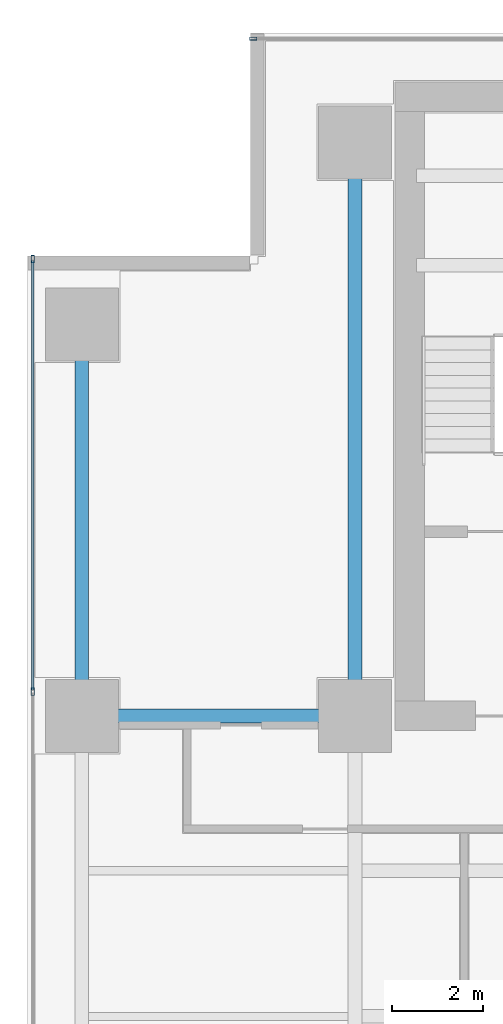
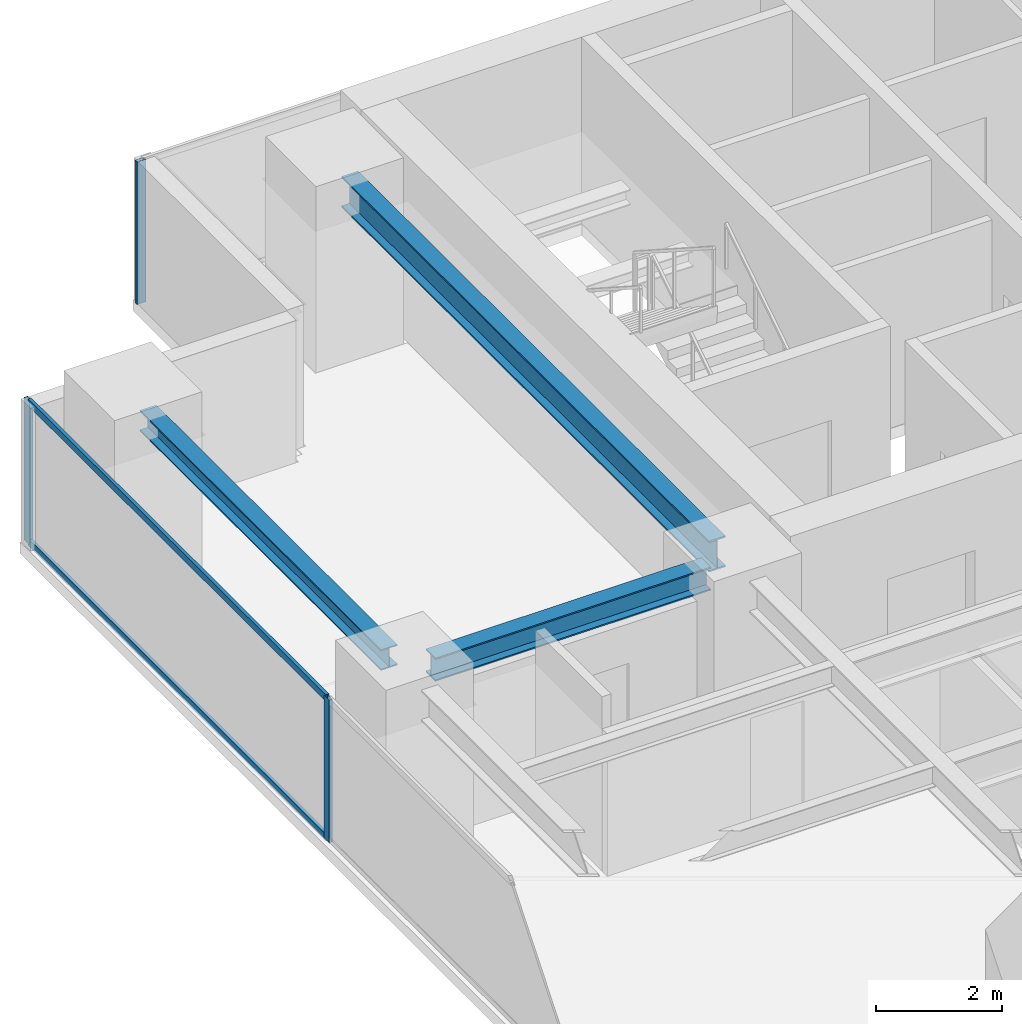
# One storey, part 14 of 27: 5 members, 3 beams, 2 elements without a shape of their own.
"""IFC4 building model written with IfcOpenShell, lengths in metres."""

import ifcopenshell
import ifcopenshell.guid

model = None  # the IFC model being written
_history = None  # IfcOwnerHistory: only IFC2X3 demands one
_inside = {}  # id of a spatial element -> (the spatial element, [elements in it])
_under = {}  # id of a project, library or spatial element -> (it, [spatial elements below it])
_declared = {}  # id of a project -> (the project, [libraries it declares])
_typed = {}  # id of a type object -> (the type object, [elements of that type])
_made_of = {}  # id of a material, layer set ... -> (it, [elements and type objects made of it])


def new_model(schema):
    """Start an empty IFC model of exactly this schema.

    Asked for "IFC4X3", IfcOpenShell would pick the latest addendum, in which some entities
    have other attributes; the version numbers below select the first issue.
    IFC2X3 requires an IfcOwnerHistory on every rooted entity: one is made here for all.
    """
    global model, _history
    if schema == "IFC4X3":
        model = ifcopenshell.file(schema_version=(4, 3, 0, 0))
    else:
        model = ifcopenshell.file(schema=schema)
    _inside.clear()
    _under.clear()
    _declared.clear()
    _typed.clear()
    _made_of.clear()
    _history = None
    if model.schema == "IFC2X3":
        org = make("IfcOrganization", Name="unknown")
        user = make(
            "IfcPersonAndOrganization",
            ThePerson=make("IfcPerson", FamilyName="unknown"),
            TheOrganization=org,
        )
        app = make(
            "IfcApplication",
            ApplicationDeveloper=org,
            Version="unknown",
            ApplicationFullName="unknown",
            ApplicationIdentifier="unknown",
        )
        _history = make(
            "IfcOwnerHistory",
            OwningUser=user,
            OwningApplication=app,
            ChangeAction="ADDED",
            CreationDate=0,
        )
    return model


def make(cls, **values):
    """One entity of the class cls with the attributes given. An attribute that is None is left unset."""
    return model.create_entity(
        cls, **{name: value for name, value in values.items() if value is not None}
    )


def rooted(cls, **values):
    """An entity with a GlobalId (a new one), such as an element, a storey or a relation."""
    return make(cls, GlobalId=ifcopenshell.guid.new(), OwnerHistory=_history, **values)


def si_unit(unit_type, name, prefix=None):
    """IfcSIUnit, for example si_unit("LENGTHUNIT", "METRE", prefix="MILLI")."""
    return make("IfcSIUnit", UnitType=unit_type, Prefix=prefix, Name=name)


def assignment(units):
    """IfcUnitAssignment: the units of a project."""
    return None if units is None else make("IfcUnitAssignment", Units=units)


def point(xyz):
    """IfcCartesianPoint."""
    return None if xyz is None else make("IfcCartesianPoint", Coordinates=xyz)


def direction(xyz):
    """IfcDirection."""
    return None if xyz is None else make("IfcDirection", DirectionRatios=xyz)


def frame(location, z_axis=None, x_axis=None):
    """IfcAxis2Placement3D, a coordinate frame: its origin and axes. An axis left out is left unset."""
    return make(
        "IfcAxis2Placement3D",
        Location=point(location),
        Axis=direction(z_axis),
        RefDirection=direction(x_axis),
    )


def frame_2d(location, x_axis=None):
    """IfcAxis2Placement2D, a coordinate frame in the plane: its origin and x axis."""
    return make(
        "IfcAxis2Placement2D", Location=point(location), RefDirection=direction(x_axis)
    )


def origin():
    """The frame at (0, 0, 0) with its axes left unset."""
    return frame((0.0, 0.0, 0.0))


def origin_2d():
    """The frame at (0, 0) in the plane with its x axis left unset."""
    return frame_2d((0.0, 0.0))


def place(relative_to, where):
    """IfcLocalPlacement: puts the frame where relative to a parent placement (None: the world)."""
    return make(
        "IfcLocalPlacement", PlacementRelTo=relative_to, RelativePlacement=where
    )


def context(
    kind, dimensions, precision=None, world=None, true_north=None, identifier=None
):
    """IfcGeometricRepresentationContext, for example the 3D "Model" context."""
    return make(
        "IfcGeometricRepresentationContext",
        ContextIdentifier=identifier,
        ContextType=kind,
        CoordinateSpaceDimension=dimensions,
        Precision=precision,
        WorldCoordinateSystem=world,
        TrueNorth=true_north,
    )


def subcontext(parent, identifier, kind, view, scale=None):
    """IfcGeometricRepresentationSubContext, for example "Body" below "Model"."""
    return make(
        "IfcGeometricRepresentationSubContext",
        ContextIdentifier=identifier,
        ContextType=kind,
        ParentContext=parent,
        TargetScale=scale,
        TargetView=view,
    )


def project(units=None, contexts=None):
    """IfcProject with its units and contexts."""
    return rooted(
        "IfcProject",
        Name="project",
        RepresentationContexts=contexts,
        UnitsInContext=assignment(units),
    )


def spatial(cls, under=None, at=None, **own):
    """A site, building, storey or space (cls), placed at a placement, below another one or the project."""
    s = rooted(cls, ObjectPlacement=at, **own)
    if under is not None:
        _under.setdefault(under.id(), (under, []))[1].append(s)
    return s


def profile(cls, at=None, kind="AREA", **sizes):
    """A parametric profile (cls). Its sizes go by their IFC names, for example OverallWidth=200.0."""
    return make(cls, ProfileType=kind, Position=at, **sizes)


def hollow_rectangle(**sizes):
    """IfcRectangleHollowProfileDef."""
    return profile("IfcRectangleHollowProfileDef", **sizes)


def i_section(**sizes):
    """IfcIShapeProfileDef."""
    return profile("IfcIShapeProfileDef", **sizes)


def extrude(swept, where, along, depth):
    """IfcExtrudedAreaSolid: the profile swept, set in the frame where, extruded along a direction by depth."""
    return make(
        "IfcExtrudedAreaSolid",
        SweptArea=swept,
        Position=where,
        ExtrudedDirection=direction(along),
        Depth=depth,
    )


def shape(context_of_items, identifier, shape_type, items):
    """IfcShapeRepresentation: the items that make up one representation, for example the "Body"."""
    return make(
        "IfcShapeRepresentation",
        ContextOfItems=context_of_items,
        RepresentationIdentifier=identifier,
        RepresentationType=shape_type,
        Items=items,
    )


def source(mapping_origin, context_of_items, identifier, shape_type, items):
    """IfcRepresentationMap: a shape defined once, which mapped items show again and again."""
    return make(
        "IfcRepresentationMap",
        MappingOrigin=mapping_origin,
        MappedRepresentation=shape(context_of_items, identifier, shape_type, items),
    )


def transform(
    local_origin,
    x_axis=None,
    y_axis=None,
    z_axis=None,
    scale=None,
    scale2=None,
    scale3=None,
    uniform=True,
):
    """IfcCartesianTransformationOperator3D, or its non-uniform kind. x_axis, y_axis, z_axis: its Axis1, 2, 3."""
    if uniform:
        return make(
            "IfcCartesianTransformationOperator3D",
            Axis1=direction(x_axis),
            Axis2=direction(y_axis),
            LocalOrigin=point(local_origin),
            Scale=scale,
            Axis3=direction(z_axis),
        )
    return make(
        "IfcCartesianTransformationOperator3DnonUniform",
        Axis1=direction(x_axis),
        Axis2=direction(y_axis),
        LocalOrigin=point(local_origin),
        Scale=scale,
        Axis3=direction(z_axis),
        Scale2=scale2,
        Scale3=scale3,
    )


def mapped(mapping_source, mapping_target):
    """IfcMappedItem: shows the shape of a source again, moved by a transform."""
    return make(
        "IfcMappedItem", MappingSource=mapping_source, MappingTarget=mapping_target
    )


def material(Name=None, Category=None):
    """IfcMaterial."""
    return make("IfcMaterial", Name=Name, Category=Category)


def layer(
    of_material, thickness, ventilated=None, Name=None, Category=None, Priority=None
):
    """IfcMaterialLayer: one layer of a wall or slab, of a material (None: an air gap)."""
    return make(
        "IfcMaterialLayer",
        Material=of_material,
        LayerThickness=thickness,
        IsVentilated=ventilated,
        Name=Name,
        Category=Category,
        Priority=Priority,
    )


def layer_set(layers, Name=None):
    """IfcMaterialLayerSet."""
    return make("IfcMaterialLayerSet", MaterialLayers=layers, LayerSetName=Name)


def material_profile(
    of_material, cross_section, Name=None, Category=None, Priority=None
):
    """IfcMaterialProfile: a cross section and its material."""
    return make(
        "IfcMaterialProfile",
        Name=Name,
        Material=of_material,
        Profile=cross_section,
        Priority=Priority,
        Category=Category,
    )


def profile_set(profiles, Name=None, composite=None):
    """IfcMaterialProfileSet."""
    return make(
        "IfcMaterialProfileSet",
        Name=Name,
        MaterialProfiles=profiles,
        CompositeProfile=composite,
    )


def made_of(thing, what):
    """Note that an element or type object is made of a material, layer set ...; save() writes the relation."""
    if what is not None:
        _made_of.setdefault(what.id(), (what, []))[1].append(thing)
    return thing


def type_object(cls, material=None, **own):
    """A type object (cls), such as IfcWallType, which elements share."""
    return made_of(rooted(cls, **own), material)


def element(
    cls,
    number,
    at=None,
    inside=None,
    cuts=None,
    type_object=None,
    material=None,
    context=None,
    identifier="Body",
    shape_type=None,
    held_by="IfcProductDefinitionShape",
    body=None,
    shapes=None,
    **own,
):
    """One element of the class cls, such as IfcWall. Its Tag is "e" and its number.

    at: its placement. inside: the storey or other place that contains it. cuts: it is an
    opening in that element (IfcRelVoidsElement). A single representation is given by context,
    identifier, shape_type and body (its items); several are given by shapes. held_by: the class
    of the entity that holds the representations. save() writes the other relations.
    """
    e = rooted(cls, Tag="e%d" % number, ObjectPlacement=at, **own)
    if body is not None:
        shapes = [shape(context, identifier, shape_type, body)]
    if shapes is not None:
        e.Representation = make(held_by, Representations=shapes)
    if inside is not None:
        _inside.setdefault(inside.id(), (inside, []))[1].append(e)
    if cuts is not None:
        rooted(
            "IfcRelVoidsElement", RelatingBuildingElement=cuts, RelatedOpeningElement=e
        )
    if type_object is not None:
        _typed.setdefault(type_object.id(), (type_object, []))[1].append(e)
    return made_of(e, material)


def aggregate(whole, parts):
    """IfcRelAggregates: a whole, such as a stair, and the parts it consists of."""
    return rooted("IfcRelAggregates", RelatingObject=whole, RelatedObjects=parts)


def save(model, path):
    """Write the relations noted so far, then the file.

    IfcRelAggregates (storeys below a building ...), IfcRelContainedInSpatialStructure (elements
    in a storey), IfcRelDefinesByType, IfcRelAssociatesMaterial and IfcRelDeclares: one each for
    every whole, place, type object, material and project.
    """
    for whole, parts in _under.values():
        aggregate(whole, parts)
    for where, things in _inside.values():
        rooted(
            "IfcRelContainedInSpatialStructure",
            RelatedElements=things,
            RelatingStructure=where,
        )
    for kind, things in _typed.values():
        rooted("IfcRelDefinesByType", RelatedObjects=things, RelatingType=kind)
    for what, things in _made_of.values():
        rooted("IfcRelAssociatesMaterial", RelatedObjects=things, RelatingMaterial=what)
    for by, libraries in _declared.values():
        rooted("IfcRelDeclares", RelatingContext=by, RelatedDefinitions=libraries)
    model.write(path)


model = new_model("IFC4")

# Units and contexts
model_context = context("Model", 3, precision=1e-05, world=origin(), true_north=direction((0.0, 1.0)))
body_context = subcontext(model_context, "Body", "Model", "MODEL_VIEW")
ifc_project = project(units=[si_unit("LENGTHUNIT", "METRE"), si_unit("AREAUNIT", "SQUARE_METRE"), si_unit("VOLUMEUNIT", "CUBIC_METRE"), si_unit("PLANEANGLEUNIT", "RADIAN"), si_unit("MASSUNIT", "GRAM", prefix="KILO")], contexts=[model_context])

# Site, building, storey
site_placement = place(None, origin())
site = spatial("IfcSite", under=ifc_project, at=site_placement, CompositionType="ELEMENT")
building_placement = place(site_placement, origin())
building = spatial("IfcBuilding", under=site, at=building_placement, Name="Sumidabori Civic Tower", CompositionType="ELEMENT")
storey_placement = place(building_placement, frame((0.0, 0.0, 164.0)))
storey = spatial("IfcBuildingStorey", under=building, at=storey_placement, Name="L42", CompositionType="ELEMENT", Elevation=164.0)

# Beams
ifc_material_1 = material(Name="Steel SN490", Category="steel")
ifc_material_profile_1 = material_profile(ifc_material_1, i_section(OverallWidth=0.300048828125, OverallDepth=0.39990234375, WebThickness=0.013427734375, FlangeThickness=0.02392578125, at=origin_2d()), Name="HE 400 B")
ifc_profile_set_1 = profile_set([ifc_material_profile_1], Name="Steel SN490")
beam_type_1 = type_object("IfcBeamType", Name="BM-GIRD-400", PredefinedType="BEAM", material=ifc_profile_set_1)
shared_shape_1 = source(origin(), body_context, "Body", "SweptSolid", [
    extrude(i_section(OverallWidth=0.300048828125, OverallDepth=0.39990234375, WebThickness=0.013427734375, FlangeThickness=0.02392578125, at=origin_2d()), origin(), (0.0, 0.0, 1.0), 7.64013671875),
])
beam_1_placement = place(storey_placement, frame((-22.800048828125, 10.679931640625, 3.179931640625), z_axis=(0.0, 1.0, 0.0), x_axis=(-1.0, 0.0, 0.0)))
element("IfcBeam", 1, at=beam_1_placement, inside=storey, type_object=beam_type_1, Name="Primary Girder L42 GY-21", PredefinedType="BEAM", context=body_context, shape_type="MappedRepresentation", body=[
    mapped(shared_shape_1, transform((0.0, 0.0, 0.0), x_axis=(1.0, 0.0, 0.0), y_axis=(0.0, 1.0, 0.0), z_axis=(0.0, 0.0, 1.0), scale=1.0)),
])
ifc_material_profile_2 = material_profile(ifc_material_1, i_section(OverallWidth=0.300048828125, OverallDepth=0.60009765625, WebThickness=0.015380859375, FlangeThickness=0.030029296875, at=origin_2d()), Name="HE 600 B")
ifc_profile_set_2 = profile_set([ifc_material_profile_2], Name="Steel SN490")
beam_type_2 = type_object("IfcBeamType", Name="BM-GIRD-600", PredefinedType="BEAM", material=ifc_profile_set_2)
shared_shape_2 = source(origin(), body_context, "Body", "SweptSolid", [
    extrude(i_section(OverallWidth=0.300048828125, OverallDepth=0.60009765625, WebThickness=0.015380859375, FlangeThickness=0.030029296875, at=origin_2d()), origin(), (0.0, 0.0, 1.0), 11.64013671875),
])
beam_2_placement = place(storey_placement, frame((-16.800048828125, 10.679931640625, 3.080078125), z_axis=(0.0, 1.0, 0.0), x_axis=(-1.0, 0.0, 0.0)))
element("IfcBeam", 2, at=beam_2_placement, inside=storey, type_object=beam_type_2, Name="Primary Girder L42 GY-25", PredefinedType="BEAM", context=body_context, shape_type="MappedRepresentation", body=[
    mapped(shared_shape_2, transform((0.0, 0.0, 0.0), x_axis=(1.0, 0.0, 0.0), y_axis=(0.0, 1.0, 0.0), z_axis=(0.0, 0.0, 1.0), scale=1.0)),
])
ifc_material_profile_3 = material_profile(ifc_material_1, i_section(OverallWidth=0.300048828125, OverallDepth=0.449951171875, WebThickness=0.013916015625, FlangeThickness=0.02587890625, at=origin_2d()), Name="HE 450 B")
ifc_profile_set_3 = profile_set([ifc_material_profile_3], Name="Steel SN490")
beam_type_3 = type_object("IfcBeamType", Name="BM-GIRD-450", PredefinedType="BEAM", material=ifc_profile_set_3)
shared_shape_3 = source(origin(), body_context, "Body", "SweptSolid", [
    extrude(i_section(OverallWidth=0.300048828125, OverallDepth=0.449951171875, WebThickness=0.013916015625, FlangeThickness=0.02587890625, at=origin_2d()), origin(), (0.0, 0.0, 1.0), 5.0400390625),
])
beam_3_placement = place(storey_placement, frame((-22.320068359375, 10.199951171875, 3.155029296875), z_axis=(1.0, 0.0, 0.0), x_axis=(0.0, 1.0, 0.0)))
element("IfcBeam", 3, at=beam_3_placement, inside=storey, type_object=beam_type_3, Name="Primary Girder L42 GX-17", PredefinedType="BEAM", context=body_context, shape_type="MappedRepresentation", body=[
    mapped(shared_shape_3, transform((0.0, 0.0, 0.0), x_axis=(1.0, 0.0, 0.0), y_axis=(0.0, 1.0, 0.0), z_axis=(0.0, 0.0, 1.0), scale=1.0)),
])

# Curtain wall, member
ifc_material_2 = material(Name="Anodised Bronze Aluminium AW-6063-T6", Category="aluminium")
ifc_layer = layer(ifc_material_2, 0.179931640625, Name="Anodised Bronze Aluminium AW-6063-T6")
ifc_layer_set = layer_set([ifc_layer], Name="Anodised Bronze Aluminium AW-6063-T6")
curtain_wall_type = type_object("IfcCurtainWallType", Name="CW-SYS-3", PredefinedType="NOTDEFINED", material=ifc_layer_set)
curtain_wall_1_placement = place(storey_placement, origin())
curtain_wall_1 = element("IfcCurtainWall", 4, at=curtain_wall_1_placement, inside=storey, type_object=curtain_wall_type, Name="Curtain Wall CW:L42:R07", PredefinedType="NOTDEFINED")
ifc_material_profile_4 = material_profile(ifc_material_2, hollow_rectangle(XDim=0.06494140625, YDim=0.159912109375, WallThickness=0.0048828125, at=origin_2d()), Name="ALU MULLION 160x65")
ifc_profile_set_4 = profile_set([ifc_material_profile_4], Name="Anodised Bronze Aluminium AW-6063-T6")
member_type_1 = type_object("IfcMemberType", Name="CW-MUL-160", PredefinedType="MULLION", material=ifc_profile_set_4)
shared_shape_4 = source(origin(), body_context, "Body", "SweptSolid", [
    extrude(hollow_rectangle(XDim=0.06494140625, YDim=0.159912109375, WallThickness=0.0048828125, at=origin_2d()), origin(), (0.0, 0.0, 1.0), 2.760009765625),
])
member_1_placement = place(storey_placement, frame((-19.03759765625, 25.080078125, 0.0), z_axis=(0.0, 0.0, 1.0), x_axis=(0.0, -1.0, 0.0)))
member_1 = element("IfcMember", 5, at=member_1_placement, type_object=member_type_1, Name="CW-3 mullion 5", PredefinedType="MULLION", context=body_context, shape_type="MappedRepresentation", body=[
    mapped(shared_shape_4, transform((0.0, 0.0, 0.0), x_axis=(1.0, 0.0, 0.0), y_axis=(0.0, 1.0, 0.0), z_axis=(0.0, 0.0, 1.0), scale=1.0)),
])
aggregate(curtain_wall_1, [member_1])

# Curtain wall, members
curtain_wall_2_placement = place(storey_placement, origin())
curtain_wall_2 = element("IfcCurtainWall", 6, at=curtain_wall_2_placement, inside=storey, type_object=curtain_wall_type, Name="Curtain Wall CW:L42:R10", PredefinedType="NOTDEFINED")
member_2_placement = place(storey_placement, frame((-23.8798828125, 20.237548828125, 0.0), z_axis=(0.0, 0.0, 1.0), x_axis=(1.0, 0.0, 0.0)))
member_2 = element("IfcMember", 7, at=member_2_placement, type_object=member_type_1, Name="CW-3 mullion 1", PredefinedType="MULLION", context=body_context, shape_type="MappedRepresentation", body=[
    mapped(shared_shape_4, transform((0.0, 0.0, 0.0), x_axis=(1.0, 0.0, 0.0), y_axis=(0.0, 1.0, 0.0), z_axis=(0.0, 0.0, 1.0), scale=1.0)),
])
member_3_placement = place(storey_placement, frame((-23.8798828125, 10.735107421875, 0.0), z_axis=(0.0, 0.0, 1.0), x_axis=(1.0, 0.0, 0.0)))
member_3 = element("IfcMember", 8, at=member_3_placement, type_object=member_type_1, Name="CW-3 mullion 2", PredefinedType="MULLION", context=body_context, shape_type="MappedRepresentation", body=[
    mapped(shared_shape_4, transform((0.0, 0.0, 0.0), x_axis=(1.0, 0.0, 0.0), y_axis=(0.0, 1.0, 0.0), z_axis=(0.0, 0.0, 1.0), scale=1.0)),
])
ifc_material_profile_5 = material_profile(ifc_material_2, hollow_rectangle(XDim=0.06005859375, YDim=0.1298828125, WallThickness=0.0048828125, at=origin_2d()), Name="ALU TRANSOM 130x60")
ifc_profile_set_5 = profile_set([ifc_material_profile_5], Name="Anodised Bronze Aluminium AW-6063-T6")
member_type_2 = type_object("IfcMemberType", Name="CW-TRN-130", PredefinedType="USERDEFINED", material=ifc_profile_set_5)
shared_shape_5 = source(origin(), body_context, "Body", "SweptSolid", [
    extrude(hollow_rectangle(XDim=0.06005859375, YDim=0.1298828125, WallThickness=0.0048828125, at=origin_2d()), origin(), (0.0, 0.0, 1.0), 9.4375),
])
member_4_placement = place(storey_placement, frame((-23.8798828125, 20.205078125, 0.030029296875), z_axis=(0.0, -1.0, 0.0), x_axis=(1.0, 0.0, 0.0)))
member_4 = element("IfcMember", 9, at=member_4_placement, type_object=member_type_2, Name="CW-3 transom 1.1", ObjectType="TRANSOM", PredefinedType="USERDEFINED", context=body_context, shape_type="MappedRepresentation", body=[
    mapped(shared_shape_5, transform((0.0, 0.0, 0.0), x_axis=(1.0, 0.0, 0.0), y_axis=(0.0, 1.0, 0.0), z_axis=(0.0, 0.0, 1.0), scale=1.0)),
])
member_5_placement = place(storey_placement, frame((-23.8798828125, 20.205078125, 2.72998046875), z_axis=(0.0, -1.0, 0.0), x_axis=(1.0, 0.0, 0.0)))
member_5 = element("IfcMember", 10, at=member_5_placement, type_object=member_type_2, Name="CW-3 transom 1.2", ObjectType="TRANSOM", PredefinedType="USERDEFINED", context=body_context, shape_type="MappedRepresentation", body=[
    mapped(shared_shape_5, transform((0.0, 0.0, 0.0), x_axis=(1.0, 0.0, 0.0), y_axis=(0.0, 1.0, 0.0), z_axis=(0.0, 0.0, 1.0), scale=1.0)),
])
aggregate(curtain_wall_2, [member_2, member_3, member_4, member_5])

save(model, "model.ifc")
